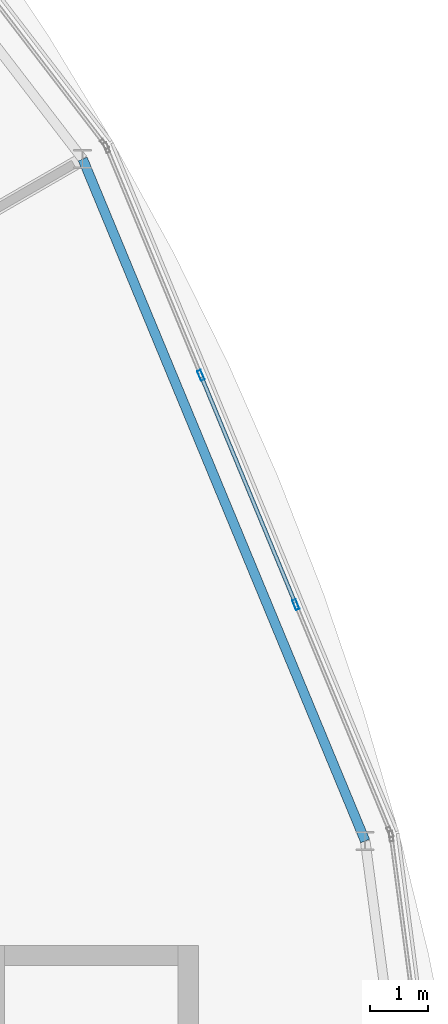
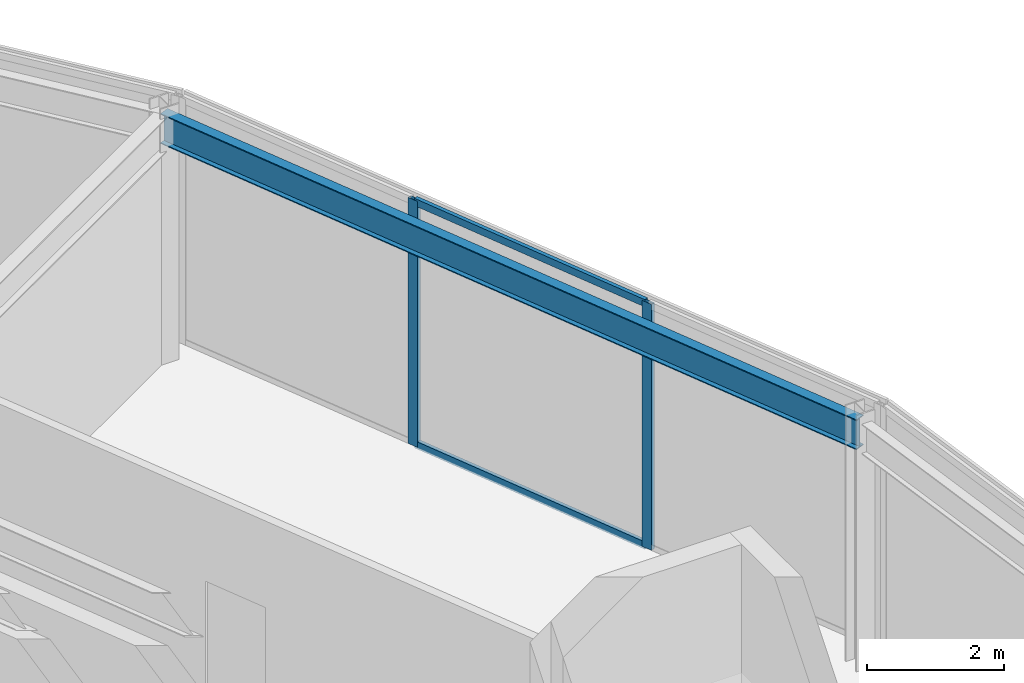
# One storey, part 69 of 133: 4 members, 1 beam, 1 element without a shape of its own.
"""IFC4 building model written with IfcOpenShell, lengths in metres."""

from ifc_helpers import new_model, si_unit, direction, frame, origin, origin_2d, place, context, subcontext, project, spatial, hollow_rectangle, i_section, extrude, material, material_profile, profile_set, type_object, element, aggregate, save


model = new_model("IFC4")

# Units and contexts
model_context = context("Model", 3, precision=1e-05, world=origin(), true_north=direction((0.0, 1.0)))
body_context = subcontext(model_context, "Body", "Model", "MODEL_VIEW")
ifc_project = project(units=[si_unit("LENGTHUNIT", "METRE"), si_unit("AREAUNIT", "SQUARE_METRE"), si_unit("VOLUMEUNIT", "CUBIC_METRE"), si_unit("PLANEANGLEUNIT", "RADIAN"), si_unit("MASSUNIT", "GRAM", prefix="KILO")], contexts=[model_context])

# Site, building, storey
site_placement = place(None, origin())
site = spatial("IfcSite", under=ifc_project, at=site_placement, CompositionType="ELEMENT")
building_placement = place(site_placement, origin())
building = spatial("IfcBuilding", under=site, at=building_placement, Name="Almandine Court Research Institute", CompositionType="ELEMENT")
storey_placement = place(building_placement, frame((0.0, 0.0, 9.800048828125)))
storey = spatial("IfcBuildingStorey", under=building, at=storey_placement, Name="L02", CompositionType="ELEMENT", Elevation=9.800048828125)

# Beam
ifc_material_1 = material(Name="Steel ASTM A992 Grade 50", Category="steel")
ifc_material_profile_1 = material_profile(ifc_material_1, i_section(OverallWidth=0.166015625, OverallDepth=0.534912109375, WebThickness=0.010009765625, FlangeThickness=0.01708984375, at=origin_2d()), Name="W530x85")
ifc_profile_set_1 = profile_set([ifc_material_profile_1], Name="Steel ASTM A992 Grade 50")
beam_type = type_object("IfcBeamType", Name="Beam-G-05-E", PredefinedType="SPANDREL", material=ifc_profile_set_1)
beam_placement = place(storey_placement, frame((134.23388671875, 68.656005859375, 4.10205078125), z_axis=(-0.382653578879, 0.923891897665, 0.0), x_axis=(-0.923891897665, -0.382653578879, 0.0)))
element("IfcBeam", 1, at=beam_placement, inside=storey, type_object=beam_type, Name="L02 Drum OUT Ring Beam 01", PredefinedType="SPANDREL", context=body_context, shape_type="SweptSolid", body=[
    extrude(i_section(OverallWidth=0.166015625, OverallDepth=0.534912109375, WebThickness=0.010009765625, FlangeThickness=0.01708984375, at=origin_2d()), origin(), (0.0, 0.0, 1.0), 12.765625),
])

# Curtain wall, members
ifc_material_2 = material(Name="Unitised Curtain Wall Framing and Solar Glazing", Category="glass")
curtain_wall_type = type_object("IfcCurtainWallType", Name="CW-CWJ-19", PredefinedType="USERDEFINED", material=ifc_material_2)
curtain_wall_placement = place(storey_placement, origin())
curtain_wall = element("IfcCurtainWall", 2, at=curtain_wall_placement, inside=storey, type_object=curtain_wall_type, Name="L02 Stacked-Ring Drum Outer Solar Jali Screen 01", ObjectType="SOLAR JALI SCREEN", PredefinedType="USERDEFINED")
ifc_material_3 = material(Name="Anodised Aluminium AW-6063-T6", Category="aluminium")
ifc_material_profile_2 = material_profile(ifc_material_3, hollow_rectangle(XDim=0.06494140625, YDim=0.179931640625, WallThickness=0.00390625, at=origin_2d()), Name="ALU RHS 65x180x4")
ifc_profile_set_2 = profile_set([ifc_material_profile_2], Name="Anodised Aluminium AW-6063-T6")
member_type_1 = type_object("IfcMemberType", Name="CWMul-65x180", PredefinedType="MULLION", material=ifc_profile_set_2)
member_1_placement = place(storey_placement, frame((131.3916015625, 76.7109375, 0.0), z_axis=(0.0, 0.0, 1.0), x_axis=(0.923888124321, 0.382662689242, 0.0)))
member_1 = element("IfcMember", 3, at=member_1_placement, type_object=member_type_1, Name="CWJ-19 mullion 2", PredefinedType="MULLION", context=body_context, shape_type="SweptSolid", body=[
    extrude(hollow_rectangle(XDim=0.06494140625, YDim=0.179931640625, WallThickness=0.00390625, at=origin_2d()), origin(), (0.0, 0.0, 1.0), 4.369873046875),
])
member_2_placement = place(storey_placement, frame((133.034423828125, 72.7451171875, 0.0), z_axis=(0.0, 0.0, 1.0), x_axis=(0.923888124321, 0.382662689242, 0.0)))
member_2 = element("IfcMember", 4, at=member_2_placement, type_object=member_type_1, Name="CWJ-19 mullion 3", PredefinedType="MULLION", context=body_context, shape_type="SweptSolid", body=[
    extrude(hollow_rectangle(XDim=0.06494140625, YDim=0.179931640625, WallThickness=0.00390625, at=origin_2d()), origin(), (0.0, 0.0, 1.0), 4.369873046875),
])
ifc_material_profile_3 = material_profile(ifc_material_3, hollow_rectangle(XDim=0.06494140625, YDim=0.1298828125, WallThickness=0.00390625, at=origin_2d()), Name="ALU RHS 65x130x4")
ifc_profile_set_3 = profile_set([ifc_material_profile_3], Name="Anodised Aluminium AW-6063-T6")
member_type_2 = type_object("IfcMemberType", Name="CWTrn-65x130", PredefinedType="NOTDEFINED", material=ifc_profile_set_3)
member_3_placement = place(storey_placement, frame((131.404052734375, 76.680908203125, 0.032470703125), z_axis=(0.382703712437, -0.92387113197, 0.0), x_axis=(0.92387113197, 0.382703712437, 0.0)))
member_3 = element("IfcMember", 5, at=member_3_placement, type_object=member_type_2, Name="CWJ-19 transom 2.1", ObjectType="TRANSOM", PredefinedType="USERDEFINED", context=body_context, shape_type="SweptSolid", body=[
    extrude(hollow_rectangle(XDim=0.06494140625, YDim=0.1298828125, WallThickness=0.00390625, at=origin_2d()), origin(), (0.0, 0.0, 1.0), 4.2275390625),
])
member_4_placement = place(storey_placement, frame((131.404052734375, 76.680908203125, 4.33740234375), z_axis=(0.382703712437, -0.92387113197, 0.0), x_axis=(0.92387113197, 0.382703712437, 0.0)))
member_4 = element("IfcMember", 6, at=member_4_placement, type_object=member_type_2, Name="CWJ-19 transom 2.2", ObjectType="TRANSOM", PredefinedType="USERDEFINED", context=body_context, shape_type="SweptSolid", body=[
    extrude(hollow_rectangle(XDim=0.06494140625, YDim=0.1298828125, WallThickness=0.00390625, at=origin_2d()), origin(), (0.0, 0.0, 1.0), 4.2275390625),
])
aggregate(curtain_wall, [member_1, member_2, member_3, member_4])

save(model, "model.ifc")
